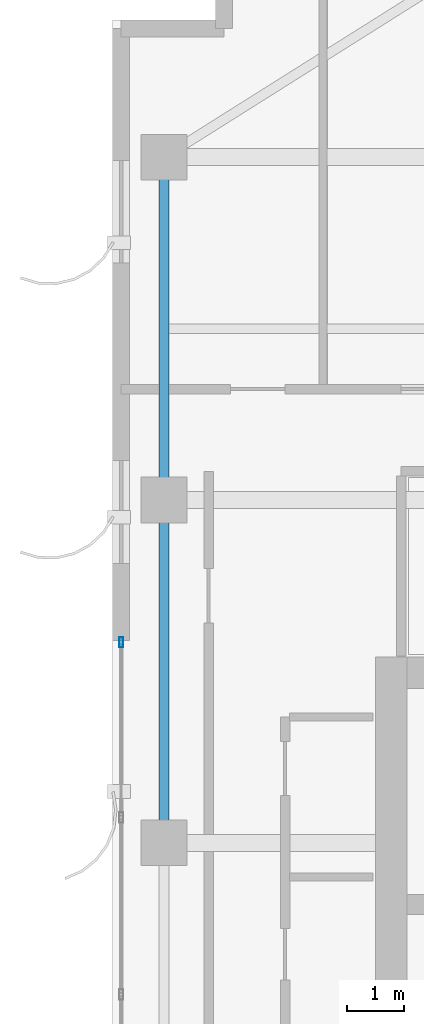
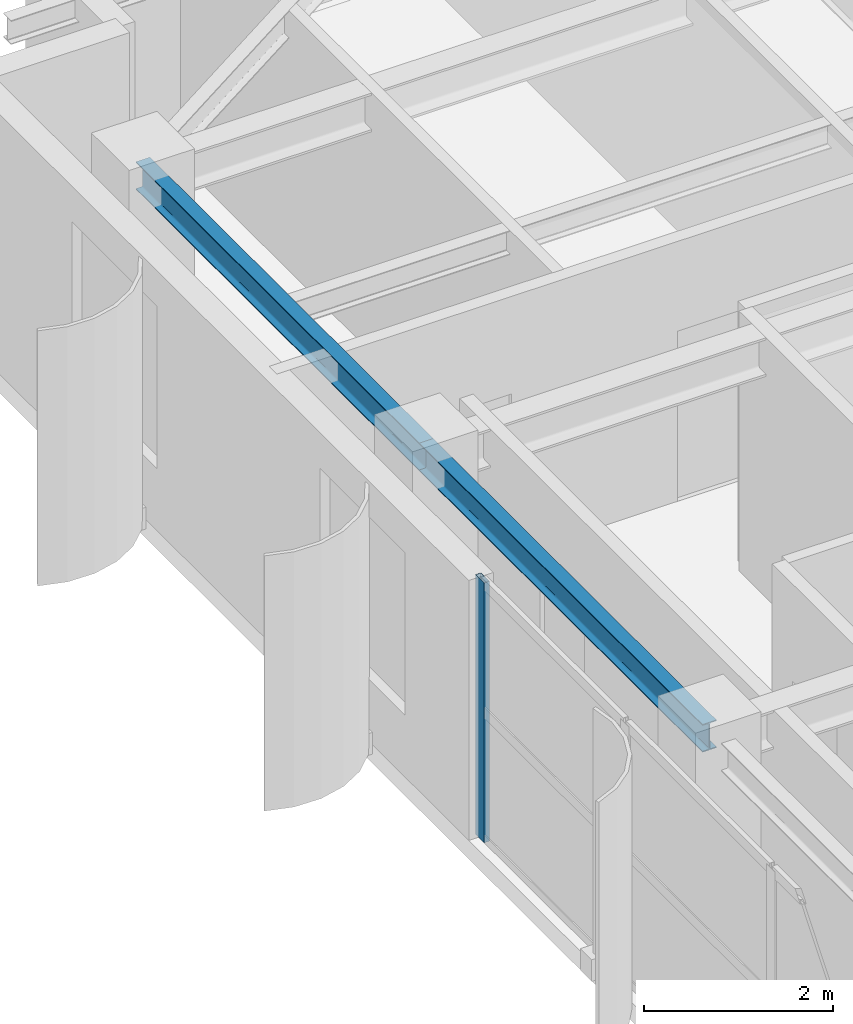
# One storey, part 8 of 24: 2 beams, 1 member, 1 element without a shape of its own.
"""IFC4 building model written with IfcOpenShell, lengths in metres."""

from ifc_helpers import new_model, si_unit, direction, frame, origin, origin_2d, place, context, subcontext, project, spatial, hollow_rectangle, i_section, extrude, source, transform, mapped, material, layer, layer_set, material_profile, profile_set, type_object, element, aggregate, save


model = new_model("IFC4")

# Units and contexts
model_context = context("Model", 3, precision=1e-05, world=origin(), true_north=direction((0.0, 1.0)))
body_context = subcontext(model_context, "Body", "Model", "MODEL_VIEW")
ifc_project = project(units=[si_unit("LENGTHUNIT", "METRE"), si_unit("AREAUNIT", "SQUARE_METRE"), si_unit("VOLUMEUNIT", "CUBIC_METRE"), si_unit("PLANEANGLEUNIT", "RADIAN"), si_unit("MASSUNIT", "GRAM", prefix="KILO")], contexts=[model_context])

# Site, building, storey
site_placement = place(None, origin())
site = spatial("IfcSite", under=ifc_project, at=site_placement, CompositionType="ELEMENT")
building_placement = place(site_placement, origin())
building = spatial("IfcBuilding", under=site, at=building_placement, Name="Khoralis Quay Care Tower", CompositionType="ELEMENT")
storey_placement = place(building_placement, frame((0.0, 0.0, 234.89990234375)))
storey = spatial("IfcBuildingStorey", under=building, at=storey_placement, Name="L61", CompositionType="ELEMENT", Elevation=234.89990234375)

# Beams
ifc_material_1 = material(Name="Steel S355", Category="steel")
ifc_material_profile_1 = material_profile(ifc_material_1, i_section(OverallWidth=0.169921875, OverallDepth=0.360107421875, WebThickness=0.008056640625, FlangeThickness=0.0126953125, FilletRadius=0.01806640625, at=origin_2d()), Name="Steel S355")
ifc_profile_set_1 = profile_set([ifc_material_profile_1], Name="Steel S355")
beam_type = type_object("IfcBeamType", Name="BM-IPE360", PredefinedType="SPANDREL", material=ifc_profile_set_1)
shared_shape_1 = source(origin(), body_context, "Body", "SweptSolid", [
    extrude(i_section(OverallWidth=0.169921875, OverallDepth=0.360107421875, WebThickness=0.008056640625, FlangeThickness=0.0126953125, FilletRadius=0.01806640625, at=origin_2d()), origin(), (0.0, 0.0, 1.0), 6.0),
])
for number, where, z_axis, x_axis, name in (
    (1, (3.89990234375, 24.0, 3.18017578125), (0.0, 1.0, 0.0), (-1.0, 0.0, 0.0), "BM-TSP-L61-07"),
    (2, (3.89990234375, 30.0, 3.18017578125), (0.0, 1.0, 0.0), (-1.0, 0.0, 0.0), "BM-TSP-L61-08"),
):
    element("IfcBeam", number, at=place(storey_placement, frame(where, z_axis=z_axis, x_axis=x_axis)), inside=storey, type_object=beam_type, Name=name, PredefinedType="SPANDREL", context=body_context, shape_type="MappedRepresentation", body=[
        mapped(shared_shape_1, transform((0.0, 0.0, 0.0), scale=1.0)),
    ])

# Curtain wall, member
ifc_material_2 = material(Name="Pale anodised aluminium", Category="aluminium")
ifc_layer = layer(ifc_material_2, 0.159912109375)
ifc_layer_set = layer_set([ifc_layer], Name="Pale anodised aluminium")
curtain_wall_type = type_object("IfcCurtainWallType", Name="CW-SYS-Z3", PredefinedType="NOTDEFINED", material=ifc_layer_set)
curtain_wall_placement = place(storey_placement, origin())
curtain_wall = element("IfcCurtainWall", 3, at=curtain_wall_placement, inside=storey, type_object=curtain_wall_type, Name="L61 Unitised Curtain Wall CW-L61-P1-E7", PredefinedType="NOTDEFINED")
ifc_material_profile_2 = material_profile(ifc_material_2, hollow_rectangle(XDim=0.06494140625, YDim=0.179931640625, WallThickness=0.00390625, at=origin_2d()), Name="Pale anodised aluminium")
ifc_profile_set_2 = profile_set([ifc_material_profile_2], Name="Pale anodised aluminium")
member_type = type_object("IfcMemberType", Name="CW-MUL-180", PredefinedType="MULLION", material=ifc_profile_set_2)
shared_shape_2 = source(origin(), body_context, "Body", "SweptSolid", [
    extrude(hollow_rectangle(XDim=0.06494140625, YDim=0.179931640625, WallThickness=0.00390625, at=origin_2d()), origin(), (0.0, 0.0, 1.0), 3.360107421875),
])
member_placement = place(storey_placement, frame((3.14990234375, 27.510009765625, 0.0), z_axis=(0.0, 0.0, 1.0), x_axis=(1.0, 0.0, 0.0)))
member = element("IfcMember", 4, at=member_placement, type_object=member_type, Name="CW3 mullion 1", PredefinedType="MULLION", context=body_context, shape_type="MappedRepresentation", body=[
    mapped(shared_shape_2, transform((0.0, 0.0, 0.0), scale=1.0)),
])
aggregate(curtain_wall, [member])

save(model, "model.ifc")
